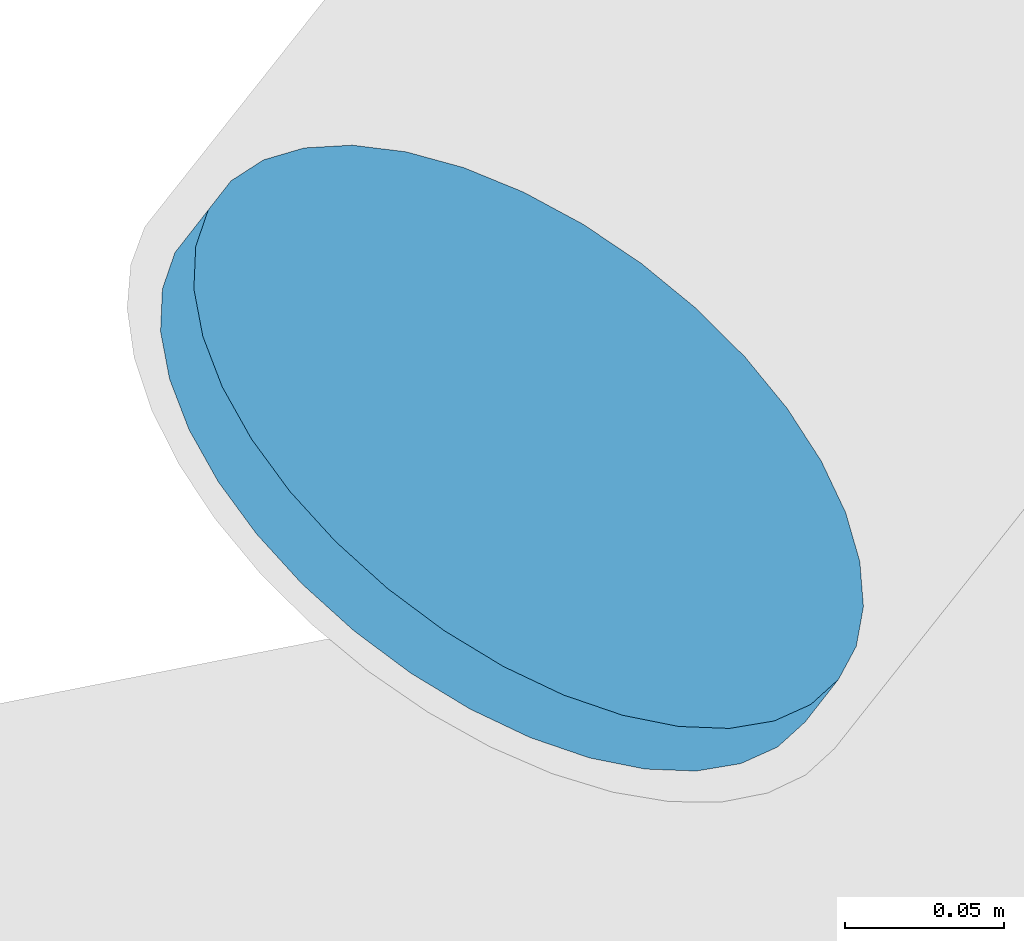
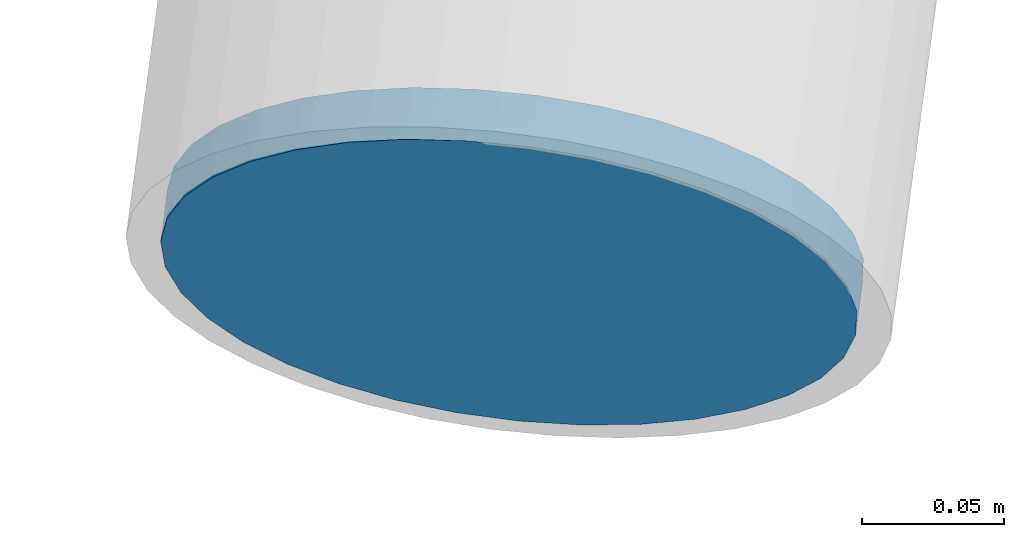
# One storey, part 28 of 36: 1 discrete accessory.
"""IFC4 building model written with IfcOpenShell, lengths in metres."""

import ifcopenshell
import ifcopenshell.guid

model = None  # the IFC model being written
_history = None  # IfcOwnerHistory: only IFC2X3 demands one
_inside = {}  # id of a spatial element -> (the spatial element, [elements in it])
_under = {}  # id of a project, library or spatial element -> (it, [spatial elements below it])
_declared = {}  # id of a project -> (the project, [libraries it declares])
_typed = {}  # id of a type object -> (the type object, [elements of that type])
_made_of = {}  # id of a material, layer set ... -> (it, [elements and type objects made of it])


def new_model(schema):
    """Start an empty IFC model of exactly this schema.

    Asked for "IFC4X3", IfcOpenShell would pick the latest addendum, in which some entities
    have other attributes; the version numbers below select the first issue.
    IFC2X3 requires an IfcOwnerHistory on every rooted entity: one is made here for all.
    """
    global model, _history
    if schema == "IFC4X3":
        model = ifcopenshell.file(schema_version=(4, 3, 0, 0))
    else:
        model = ifcopenshell.file(schema=schema)
    _inside.clear()
    _under.clear()
    _declared.clear()
    _typed.clear()
    _made_of.clear()
    _history = None
    if model.schema == "IFC2X3":
        org = make("IfcOrganization", Name="unknown")
        user = make(
            "IfcPersonAndOrganization",
            ThePerson=make("IfcPerson", FamilyName="unknown"),
            TheOrganization=org,
        )
        app = make(
            "IfcApplication",
            ApplicationDeveloper=org,
            Version="unknown",
            ApplicationFullName="unknown",
            ApplicationIdentifier="unknown",
        )
        _history = make(
            "IfcOwnerHistory",
            OwningUser=user,
            OwningApplication=app,
            ChangeAction="ADDED",
            CreationDate=0,
        )
    return model


def make(cls, **values):
    """One entity of the class cls with the attributes given. An attribute that is None is left unset."""
    return model.create_entity(
        cls, **{name: value for name, value in values.items() if value is not None}
    )


def rooted(cls, **values):
    """An entity with a GlobalId (a new one), such as an element, a storey or a relation."""
    return make(cls, GlobalId=ifcopenshell.guid.new(), OwnerHistory=_history, **values)


def si_unit(unit_type, name, prefix=None):
    """IfcSIUnit, for example si_unit("LENGTHUNIT", "METRE", prefix="MILLI")."""
    return make("IfcSIUnit", UnitType=unit_type, Prefix=prefix, Name=name)


def assignment(units):
    """IfcUnitAssignment: the units of a project."""
    return None if units is None else make("IfcUnitAssignment", Units=units)


def point(xyz):
    """IfcCartesianPoint."""
    return None if xyz is None else make("IfcCartesianPoint", Coordinates=xyz)


def direction(xyz):
    """IfcDirection."""
    return None if xyz is None else make("IfcDirection", DirectionRatios=xyz)


def frame(location, z_axis=None, x_axis=None):
    """IfcAxis2Placement3D, a coordinate frame: its origin and axes. An axis left out is left unset."""
    return make(
        "IfcAxis2Placement3D",
        Location=point(location),
        Axis=direction(z_axis),
        RefDirection=direction(x_axis),
    )


def frame_2d(location, x_axis=None):
    """IfcAxis2Placement2D, a coordinate frame in the plane: its origin and x axis."""
    return make(
        "IfcAxis2Placement2D", Location=point(location), RefDirection=direction(x_axis)
    )


def origin():
    """The frame at (0, 0, 0) with its axes left unset."""
    return frame((0.0, 0.0, 0.0))


def origin_2d():
    """The frame at (0, 0) in the plane with its x axis left unset."""
    return frame_2d((0.0, 0.0))


def place(relative_to, where):
    """IfcLocalPlacement: puts the frame where relative to a parent placement (None: the world)."""
    return make(
        "IfcLocalPlacement", PlacementRelTo=relative_to, RelativePlacement=where
    )


def context(
    kind, dimensions, precision=None, world=None, true_north=None, identifier=None
):
    """IfcGeometricRepresentationContext, for example the 3D "Model" context."""
    return make(
        "IfcGeometricRepresentationContext",
        ContextIdentifier=identifier,
        ContextType=kind,
        CoordinateSpaceDimension=dimensions,
        Precision=precision,
        WorldCoordinateSystem=world,
        TrueNorth=true_north,
    )


def subcontext(parent, identifier, kind, view, scale=None):
    """IfcGeometricRepresentationSubContext, for example "Body" below "Model"."""
    return make(
        "IfcGeometricRepresentationSubContext",
        ContextIdentifier=identifier,
        ContextType=kind,
        ParentContext=parent,
        TargetScale=scale,
        TargetView=view,
    )


def project(units=None, contexts=None):
    """IfcProject with its units and contexts."""
    return rooted(
        "IfcProject",
        Name="project",
        RepresentationContexts=contexts,
        UnitsInContext=assignment(units),
    )


def spatial(cls, under=None, at=None, **own):
    """A site, building, storey or space (cls), placed at a placement, below another one or the project."""
    s = rooted(cls, ObjectPlacement=at, **own)
    if under is not None:
        _under.setdefault(under.id(), (under, []))[1].append(s)
    return s


def profile(cls, at=None, kind="AREA", **sizes):
    """A parametric profile (cls). Its sizes go by their IFC names, for example OverallWidth=200.0."""
    return make(cls, ProfileType=kind, Position=at, **sizes)


def circle(**sizes):
    """IfcCircleProfileDef."""
    return profile("IfcCircleProfileDef", **sizes)


def extrude(swept, where, along, depth):
    """IfcExtrudedAreaSolid: the profile swept, set in the frame where, extruded along a direction by depth."""
    return make(
        "IfcExtrudedAreaSolid",
        SweptArea=swept,
        Position=where,
        ExtrudedDirection=direction(along),
        Depth=depth,
    )


def shape(context_of_items, identifier, shape_type, items):
    """IfcShapeRepresentation: the items that make up one representation, for example the "Body"."""
    return make(
        "IfcShapeRepresentation",
        ContextOfItems=context_of_items,
        RepresentationIdentifier=identifier,
        RepresentationType=shape_type,
        Items=items,
    )


def material(Name=None, Category=None):
    """IfcMaterial."""
    return make("IfcMaterial", Name=Name, Category=Category)


def material_profile(
    of_material, cross_section, Name=None, Category=None, Priority=None
):
    """IfcMaterialProfile: a cross section and its material."""
    return make(
        "IfcMaterialProfile",
        Name=Name,
        Material=of_material,
        Profile=cross_section,
        Priority=Priority,
        Category=Category,
    )


def profile_set(profiles, Name=None, composite=None):
    """IfcMaterialProfileSet."""
    return make(
        "IfcMaterialProfileSet",
        Name=Name,
        MaterialProfiles=profiles,
        CompositeProfile=composite,
    )


def made_of(thing, what):
    """Note that an element or type object is made of a material, layer set ...; save() writes the relation."""
    if what is not None:
        _made_of.setdefault(what.id(), (what, []))[1].append(thing)
    return thing


def type_object(cls, material=None, **own):
    """A type object (cls), such as IfcWallType, which elements share."""
    return made_of(rooted(cls, **own), material)


def element(
    cls,
    number,
    at=None,
    inside=None,
    cuts=None,
    type_object=None,
    material=None,
    context=None,
    identifier="Body",
    shape_type=None,
    held_by="IfcProductDefinitionShape",
    body=None,
    shapes=None,
    **own,
):
    """One element of the class cls, such as IfcWall. Its Tag is "e" and its number.

    at: its placement. inside: the storey or other place that contains it. cuts: it is an
    opening in that element (IfcRelVoidsElement). A single representation is given by context,
    identifier, shape_type and body (its items); several are given by shapes. held_by: the class
    of the entity that holds the representations. save() writes the other relations.
    """
    e = rooted(cls, Tag="e%d" % number, ObjectPlacement=at, **own)
    if body is not None:
        shapes = [shape(context, identifier, shape_type, body)]
    if shapes is not None:
        e.Representation = make(held_by, Representations=shapes)
    if inside is not None:
        _inside.setdefault(inside.id(), (inside, []))[1].append(e)
    if cuts is not None:
        rooted(
            "IfcRelVoidsElement", RelatingBuildingElement=cuts, RelatedOpeningElement=e
        )
    if type_object is not None:
        _typed.setdefault(type_object.id(), (type_object, []))[1].append(e)
    return made_of(e, material)


def aggregate(whole, parts):
    """IfcRelAggregates: a whole, such as a stair, and the parts it consists of."""
    return rooted("IfcRelAggregates", RelatingObject=whole, RelatedObjects=parts)


def save(model, path):
    """Write the relations noted so far, then the file.

    IfcRelAggregates (storeys below a building ...), IfcRelContainedInSpatialStructure (elements
    in a storey), IfcRelDefinesByType, IfcRelAssociatesMaterial and IfcRelDeclares: one each for
    every whole, place, type object, material and project.
    """
    for whole, parts in _under.values():
        aggregate(whole, parts)
    for where, things in _inside.values():
        rooted(
            "IfcRelContainedInSpatialStructure",
            RelatedElements=things,
            RelatingStructure=where,
        )
    for kind, things in _typed.values():
        rooted("IfcRelDefinesByType", RelatedObjects=things, RelatingType=kind)
    for what, things in _made_of.values():
        rooted("IfcRelAssociatesMaterial", RelatedObjects=things, RelatingMaterial=what)
    for by, libraries in _declared.values():
        rooted("IfcRelDeclares", RelatingContext=by, RelatedDefinitions=libraries)
    model.write(path)


model = new_model("IFC4")

# Units and contexts
model_context = context("Model", 3, precision=1e-05, world=origin(), true_north=direction((0.0, 1.0)))
body_context = subcontext(model_context, "Body", "Model", "MODEL_VIEW")
ifc_project = project(units=[si_unit("LENGTHUNIT", "METRE"), si_unit("AREAUNIT", "SQUARE_METRE"), si_unit("VOLUMEUNIT", "CUBIC_METRE"), si_unit("PLANEANGLEUNIT", "RADIAN"), si_unit("MASSUNIT", "GRAM", prefix="KILO")], contexts=[model_context])

# Site, building, storey
site_placement = place(None, origin())
site = spatial("IfcSite", under=ifc_project, at=site_placement, CompositionType="ELEMENT")
building_placement = place(site_placement, origin())
building = spatial("IfcBuilding", under=site, at=building_placement, Name="Rimbun Link Towers", CompositionType="ELEMENT")
storey_placement = place(building_placement, frame((0.0, 0.0, 64.199951171875)))
storey = spatial("IfcBuildingStorey", under=building, at=storey_placement, Name="L15", CompositionType="ELEMENT", Elevation=64.199951171875)

# Discrete accessory
ifc_material = material(Name="Steel S355J2H", Category="steel")
ifc_material_profile = material_profile(ifc_material, circle(Radius=0.1240234375, at=origin_2d()), Name="PL D248")
ifc_profile_set = profile_set([ifc_material_profile], Name="Steel S355J2H")
discrete_accessory_type = type_object("IfcDiscreteAccessoryType", Name="Link foot sealing plate D248X20", PredefinedType="BRACKET", material=ifc_profile_set)
discrete_accessory_placement = place(storey_placement, frame((34.165283203125, -23.437744140625, -3.863525390625), z_axis=(-0.524429242173, -0.670781588826, -0.524429242173), x_axis=(0.787807166322, -0.615921966398, 0.0)))
element("IfcDiscreteAccessory", 1, at=discrete_accessory_placement, inside=storey, type_object=discrete_accessory_type, Name="Link foot sealing plate T2 L15 16", PredefinedType="BRACKET", context=body_context, shape_type="SweptSolid", body=[
    extrude(circle(Radius=0.1240234375, at=origin_2d()), origin(), (0.0, 0.0, 1.0), 0.02001953125),
])

save(model, "model.ifc")
